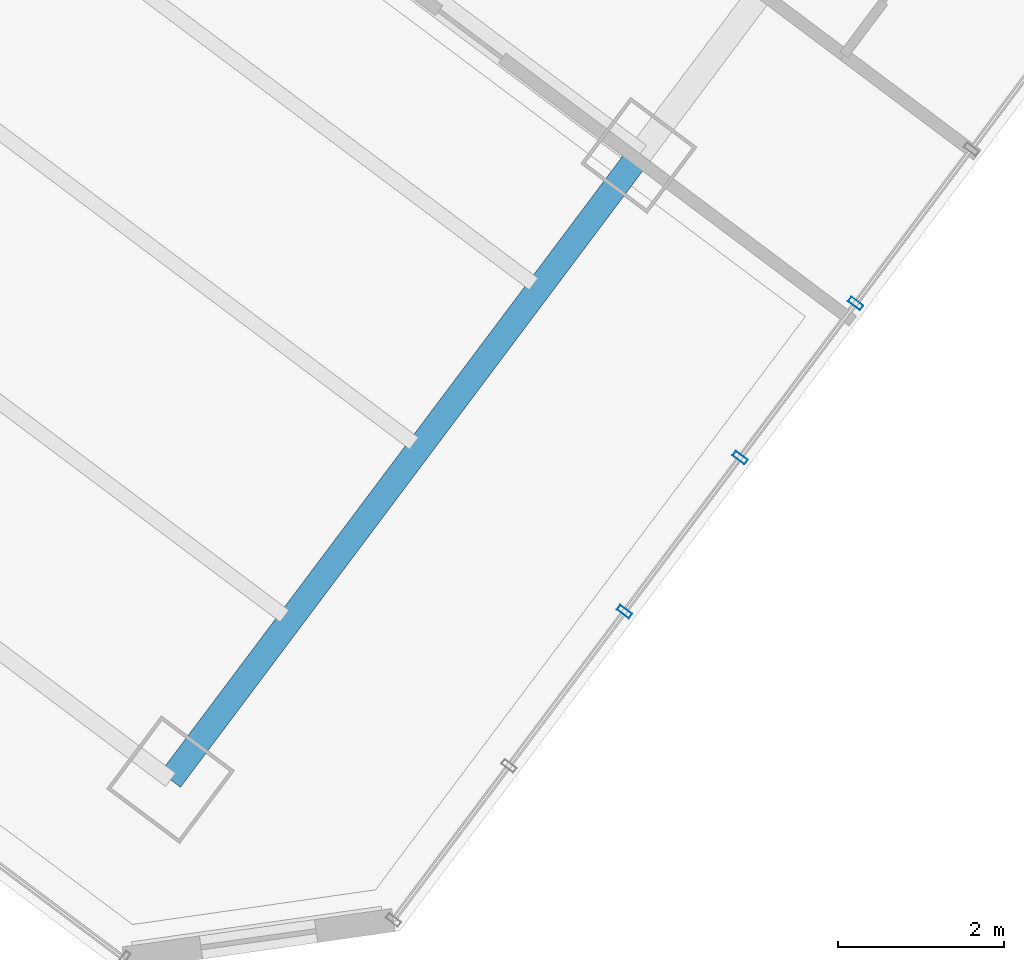
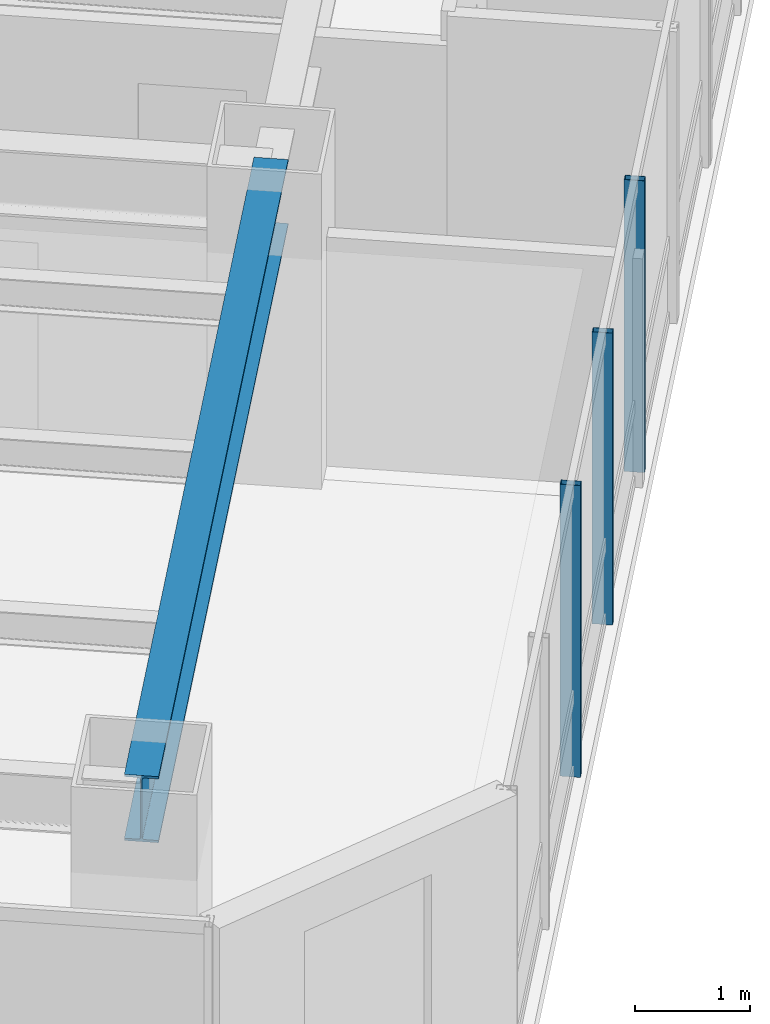
# One storey, part 14 of 39: 3 members, 1 beam, 1 element without a shape of its own.
"""IFC4 building model written with IfcOpenShell, lengths in metres."""

from ifc_helpers import new_model, si_unit, direction, frame, origin, origin_2d, place, context, subcontext, project, spatial, hollow_rectangle, i_section, extrude, material, layer, layer_set, material_profile, profile_set, type_object, element, aggregate, save


model = new_model("IFC4")

# Units and contexts
model_context = context("Model", 3, precision=1e-05, world=origin(), true_north=direction((0.0, 1.0)))
body_context = subcontext(model_context, "Body", "Model", "MODEL_VIEW")
ifc_project = project(units=[si_unit("LENGTHUNIT", "METRE"), si_unit("AREAUNIT", "SQUARE_METRE"), si_unit("VOLUMEUNIT", "CUBIC_METRE"), si_unit("PLANEANGLEUNIT", "RADIAN"), si_unit("MASSUNIT", "GRAM", prefix="KILO")], contexts=[model_context])

# Site, building, storey
site_placement = place(None, origin())
site = spatial("IfcSite", under=ifc_project, at=site_placement, CompositionType="ELEMENT")
building_placement = place(site_placement, origin())
building = spatial("IfcBuilding", under=site, at=building_placement, Name="Hatsunagi Terrace Concourse", CompositionType="ELEMENT")
storey_placement = place(building_placement, frame((0.0, 0.0, 66.75)))
storey = spatial("IfcBuildingStorey", under=building, at=storey_placement, Name="L17", CompositionType="ELEMENT", Elevation=66.75)

# Curtain wall, members
ifc_material_1 = material(Name="Anodised Aluminium Alloy 6063-T5", Category="aluminium")
ifc_layer = layer(ifc_material_1, 0.199951171875)
ifc_layer_set = layer_set([ifc_layer], Name="HotelFacade_CW02")
curtain_wall_type = type_object("IfcCurtainWallType", Name="HotelFacade_CW02", PredefinedType="NOTDEFINED", material=ifc_layer_set)
curtain_wall_placement = place(storey_placement, origin())
curtain_wall = element("IfcCurtainWall", 1, at=curtain_wall_placement, inside=storey, type_object=curtain_wall_type, Name="Unitised Curtain Wall CW-02 CW-L17-03", PredefinedType="NOTDEFINED")
ifc_material_2 = material(Name="Anodised Aluminium Alloy 6063-T5", Category="aluminium")
ifc_material_profile_1 = material_profile(ifc_material_2, hollow_rectangle(XDim=0.070068359375, YDim=0.179931640625, WallThickness=0.00390625, at=origin_2d()), Name="ALU-MUL-180x70x4")
ifc_profile_set_1 = profile_set([ifc_material_profile_1], Name="Anodised Aluminium Alloy 6063-T5")
member_type = type_object("IfcMemberType", Name="CurtainWallMullion_180x70", PredefinedType="MULLION", material=ifc_profile_set_1)
member_1_placement = place(storey_placement, frame((62.132080078125, 10.3759765625, 0.0), z_axis=(0.0, 0.0, 1.0), x_axis=(-0.599969314634, -0.800023013105, 0.0)))
member_1 = element("IfcMember", 2, at=member_1_placement, type_object=member_type, Name="Curtain Wall Mullion MUL-02", PredefinedType="MULLION", context=body_context, shape_type="SweptSolid", body=[
    extrude(hollow_rectangle(XDim=0.070068359375, YDim=0.179931640625, WallThickness=0.00390625, at=origin_2d()), origin(), (0.0, 0.0, 1.0), 3.090087890625),
])
member_2_placement = place(storey_placement, frame((60.739990234375, 8.51904296875, 0.0), z_axis=(0.0, 0.0, 1.0), x_axis=(-0.599969314634, -0.800023013105, 0.0)))
member_2 = element("IfcMember", 3, at=member_2_placement, type_object=member_type, Name="Curtain Wall Mullion MUL-02", PredefinedType="MULLION", context=body_context, shape_type="SweptSolid", body=[
    extrude(hollow_rectangle(XDim=0.070068359375, YDim=0.179931640625, WallThickness=0.00390625, at=origin_2d()), origin(), (0.0, 0.0, 1.0), 3.090087890625),
])
member_3_placement = place(storey_placement, frame((59.346923828125, 6.6630859375, 0.0), z_axis=(0.0, 0.0, 1.0), x_axis=(-0.599969314634, -0.800023013105, 0.0)))
member_3 = element("IfcMember", 4, at=member_3_placement, type_object=member_type, Name="Curtain Wall Mullion MUL-02", PredefinedType="MULLION", context=body_context, shape_type="SweptSolid", body=[
    extrude(hollow_rectangle(XDim=0.070068359375, YDim=0.179931640625, WallThickness=0.00390625, at=origin_2d()), origin(), (0.0, 0.0, 1.0), 3.090087890625),
])
aggregate(curtain_wall, [member_1, member_2, member_3])

# Beam
ifc_material_3 = material(Name="Steel SN490B", Category="steel")
ifc_material_profile_2 = material_profile(ifc_material_3, i_section(OverallWidth=0.300048828125, OverallDepth=0.699951171875, WebThickness=0.012939453125, FlangeThickness=0.02392578125, FilletRadius=0.02197265625, at=origin_2d()), Name="H-700x300x13x24")
ifc_profile_set_2 = profile_set([ifc_material_profile_2], Name="Steel SN490B")
beam_type = type_object("IfcBeamType", Name="HotelFloorGirder_H_700x300", PredefinedType="BEAM", material=ifc_profile_set_2)
beam_placement = place(storey_placement, frame((53.8798828125, 4.639892578125, 2.780029296875), z_axis=(0.600008311051, 0.799993766644, 0.0), x_axis=(-0.799993766644, 0.600008311051, 0.0)))
element("IfcBeam", 5, at=beam_placement, inside=storey, type_object=beam_type, Name="Beam G-04 BM-L17-SET-3A", PredefinedType="BEAM", context=body_context, shape_type="SweptSolid", body=[
    extrude(i_section(OverallWidth=0.300048828125, OverallDepth=0.699951171875, WebThickness=0.012939453125, FlangeThickness=0.02392578125, FilletRadius=0.02197265625, at=origin_2d()), origin(), (0.0, 0.0, 1.0), 9.400146484375),
])

save(model, "model.ifc")
